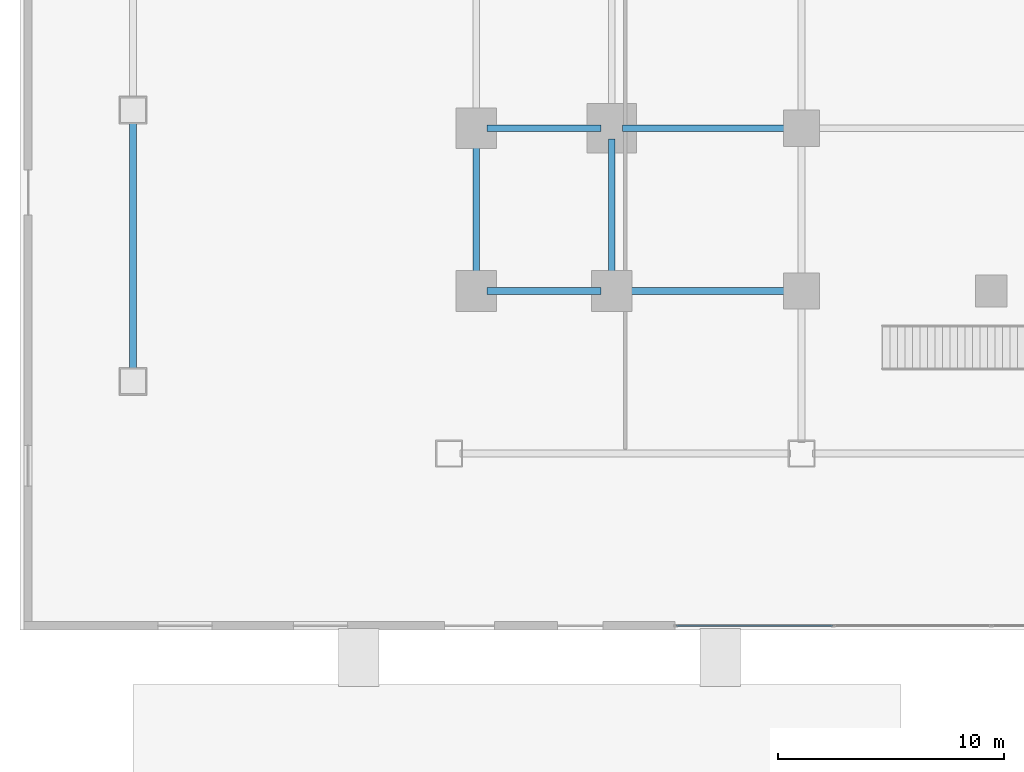
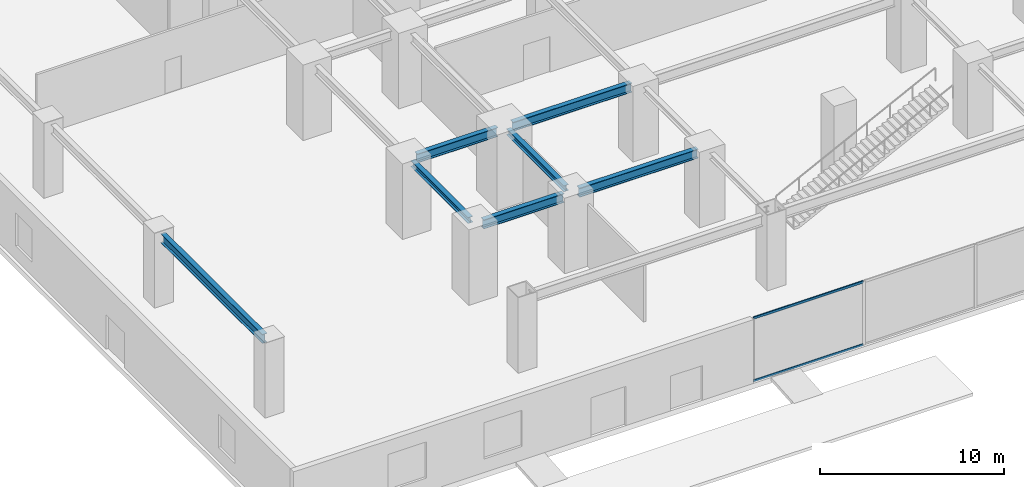
# One storey, part 3 of 18: 7 beams, 2 members, 1 element without a shape of its own.
"""IFC4 building model written with IfcOpenShell, lengths in metres."""

from ifc_helpers import new_model, si_unit, direction, frame, origin, origin_2d, place, context, subcontext, project, spatial, hollow_rectangle, i_section, extrude, source, transform, mapped, material, layer, layer_set, material_profile, profile_set, type_object, element, aggregate, save


model = new_model("IFC4")

# Units and contexts
model_context = context("Model", 3, precision=1e-05, world=origin(), true_north=direction((0.0, 1.0)))
body_context = subcontext(model_context, "Body", "Model", "MODEL_VIEW")
ifc_project = project(units=[si_unit("LENGTHUNIT", "METRE"), si_unit("AREAUNIT", "SQUARE_METRE"), si_unit("VOLUMEUNIT", "CUBIC_METRE"), si_unit("PLANEANGLEUNIT", "RADIAN"), si_unit("MASSUNIT", "GRAM", prefix="KILO")], contexts=[model_context])

# Site, building, storey
site_placement = place(None, origin())
site = spatial("IfcSite", under=ifc_project, at=site_placement, CompositionType="ELEMENT")
building_placement = place(site_placement, origin())
building = spatial("IfcBuilding", under=site, at=building_placement, Name="Sumidabori Civic Tower", CompositionType="ELEMENT")
storey_placement = place(building_placement, origin())
storey = spatial("IfcBuildingStorey", under=building, at=storey_placement, Name="L00", CompositionType="ELEMENT", Elevation=0.0)

# Beams
ifc_material_1 = material(Name="Steel SN490", Category="steel")
ifc_material_profile_1 = material_profile(ifc_material_1, i_section(OverallWidth=0.300048828125, OverallDepth=0.60009765625, WebThickness=0.015380859375, FlangeThickness=0.030029296875, at=origin_2d()), Name="HE 600 B")
ifc_profile_set_1 = profile_set([ifc_material_profile_1], Name="Steel SN490")
beam_type_1 = type_object("IfcBeamType", Name="BM-GIRD-600", PredefinedType="BEAM", material=ifc_profile_set_1)
shared_shape_1 = source(origin(), body_context, "Body", "SweptSolid", [
    extrude(i_section(OverallWidth=0.300048828125, OverallDepth=0.60009765625, WebThickness=0.015380859375, FlangeThickness=0.030029296875, at=origin_2d()), origin(), (0.0, 0.0, 1.0), 5.0400390625),
])
for number, where, z_axis, x_axis, name in (
    (1, (-22.320068359375, -18.0, 4.419921875), (1.0, 0.0, 0.0), (0.0, 1.0, 0.0), "Primary Girder L00 GX-04"),
    (2, (-22.320068359375, -10.800048828125, 4.419921875), (1.0, 0.0, 0.0), (0.0, 1.0, 0.0), "Primary Girder L00 GX-08"),
):
    element("IfcBeam", number, at=place(storey_placement, frame(where, z_axis=z_axis, x_axis=x_axis)), inside=storey, type_object=beam_type_1, Name=name, PredefinedType="BEAM", context=body_context, shape_type="MappedRepresentation", body=[
        mapped(shared_shape_1, transform((0.0, 0.0, 0.0), x_axis=(1.0, 0.0, 0.0), y_axis=(0.0, 1.0, 0.0), z_axis=(0.0, 0.0, 1.0), scale=1.0)),
    ])
shared_shape_2 = source(origin(), body_context, "Body", "SweptSolid", [
    extrude(i_section(OverallWidth=0.300048828125, OverallDepth=0.60009765625, WebThickness=0.015380859375, FlangeThickness=0.030029296875, at=origin_2d()), origin(), (0.0, 0.0, 1.0), 7.440185546875),
])
for number, where, z_axis, x_axis, name in (
    (3, (-16.320068359375, -18.0, 4.419921875), (1.0, 0.0, 0.0), (0.0, 1.0, 0.0), "Primary Girder L00 GX-05"),
    (4, (-16.320068359375, -10.800048828125, 4.419921875), (1.0, 0.0, 0.0), (0.0, 1.0, 0.0), "Primary Girder L00 GX-09"),
):
    element("IfcBeam", number, at=place(storey_placement, frame(where, z_axis=z_axis, x_axis=x_axis)), inside=storey, type_object=beam_type_1, Name=name, PredefinedType="BEAM", context=body_context, shape_type="MappedRepresentation", body=[
        mapped(shared_shape_2, transform((0.0, 0.0, 0.0), x_axis=(1.0, 0.0, 0.0), y_axis=(0.0, 1.0, 0.0), z_axis=(0.0, 0.0, 1.0), scale=1.0)),
    ])
shared_shape_3 = source(origin(), body_context, "Body", "SweptSolid", [
    extrude(i_section(OverallWidth=0.300048828125, OverallDepth=0.60009765625, WebThickness=0.015380859375, FlangeThickness=0.030029296875, at=origin_2d()), origin(), (0.0, 0.0, 1.0), 11.0400390625),
])
beam_placement = place(storey_placement, frame((-38.0, -21.52001953125, 4.419921875), z_axis=(0.0, 1.0, 0.0), x_axis=(-1.0, 0.0, 0.0)))
element("IfcBeam", 5, at=beam_placement, inside=storey, type_object=beam_type_1, Name="Primary Girder L00 GY-21", PredefinedType="BEAM", context=body_context, shape_type="MappedRepresentation", body=[
    mapped(shared_shape_3, transform((0.0, 0.0, 0.0), x_axis=(1.0, 0.0, 0.0), y_axis=(0.0, 1.0, 0.0), z_axis=(0.0, 0.0, 1.0), scale=1.0)),
])
ifc_material_profile_2 = material_profile(ifc_material_1, i_section(OverallWidth=0.300048828125, OverallDepth=0.39990234375, WebThickness=0.013427734375, FlangeThickness=0.02392578125, at=origin_2d()), Name="HE 400 B")
ifc_profile_set_2 = profile_set([ifc_material_profile_2], Name="Steel SN490")
beam_type_2 = type_object("IfcBeamType", Name="BM-GIRD-400", PredefinedType="BEAM", material=ifc_profile_set_2)
shared_shape_4 = source(origin(), body_context, "Body", "SweptSolid", [
    extrude(i_section(OverallWidth=0.300048828125, OverallDepth=0.39990234375, WebThickness=0.013427734375, FlangeThickness=0.02392578125, at=origin_2d()), origin(), (0.0, 0.0, 1.0), 6.239990234375),
])
for number, where, z_axis, x_axis, name in (
    (6, (-22.800048828125, -17.52001953125, 4.52001953125), (0.0, 1.0, 0.0), (-1.0, 0.0, 0.0), "Primary Girder L00 GY-24"),
    (7, (-16.800048828125, -17.52001953125, 4.52001953125), (0.0, 1.0, 0.0), (-1.0, 0.0, 0.0), "Primary Girder L00 GY-28"),
):
    element("IfcBeam", number, at=place(storey_placement, frame(where, z_axis=z_axis, x_axis=x_axis)), inside=storey, type_object=beam_type_2, Name=name, PredefinedType="BEAM", context=body_context, shape_type="MappedRepresentation", body=[
        mapped(shared_shape_4, transform((0.0, 0.0, 0.0), x_axis=(1.0, 0.0, 0.0), y_axis=(0.0, 1.0, 0.0), z_axis=(0.0, 0.0, 1.0), scale=1.0)),
    ])

# Curtain wall, members
ifc_material_2 = material(Name="Anodised Bronze Aluminium AW-6063-T6", Category="aluminium")
ifc_layer = layer(ifc_material_2, 0.179931640625, Name="Anodised Bronze Aluminium AW-6063-T6")
ifc_layer_set = layer_set([ifc_layer], Name="Anodised Bronze Aluminium AW-6063-T6")
curtain_wall_type = type_object("IfcCurtainWallType", Name="CW-SYS-1", PredefinedType="NOTDEFINED", material=ifc_layer_set)
curtain_wall_placement = place(storey_placement, origin())
curtain_wall = element("IfcCurtainWall", 8, at=curtain_wall_placement, inside=storey, type_object=curtain_wall_type, Name="Curtain Wall CW:L00:SOUTH", PredefinedType="NOTDEFINED")
ifc_material_profile_3 = material_profile(ifc_material_2, hollow_rectangle(XDim=0.06494140625, YDim=0.14990234375, WallThickness=0.0048828125, at=origin_2d()), Name="ALU TRANSOM 150x65")
ifc_profile_set_3 = profile_set([ifc_material_profile_3], Name="Anodised Bronze Aluminium AW-6063-T6")
member_type = type_object("IfcMemberType", Name="CW-TRN-150", PredefinedType="USERDEFINED", material=ifc_profile_set_3)
shared_shape_5 = source(origin(), body_context, "Body", "SweptSolid", [
    extrude(hollow_rectangle(XDim=0.06494140625, YDim=0.14990234375, WallThickness=0.0048828125, at=origin_2d()), origin(), (0.0, 0.0, 1.0), 6.89501953125),
])
member_1_placement = place(storey_placement, frame((-7.034912109375, -32.820068359375, 0.032470703125), z_axis=(-1.0, 0.0, 0.0), x_axis=(0.0, -1.0, 0.0)))
member_1 = element("IfcMember", 9, at=member_1_placement, type_object=member_type, Name="CW-1 transom 4.1", ObjectType="TRANSOM", PredefinedType="USERDEFINED", context=body_context, shape_type="MappedRepresentation", body=[
    mapped(shared_shape_5, transform((0.0, 0.0, 0.0), x_axis=(1.0, 0.0, 0.0), y_axis=(0.0, 1.0, 0.0), z_axis=(0.0, 0.0, 1.0), scale=1.0)),
])
member_2_placement = place(storey_placement, frame((-7.034912109375, -32.820068359375, 4.1875), z_axis=(-1.0, 0.0, 0.0), x_axis=(0.0, -1.0, 0.0)))
member_2 = element("IfcMember", 10, at=member_2_placement, type_object=member_type, Name="CW-1 transom 4.2", ObjectType="TRANSOM", PredefinedType="USERDEFINED", context=body_context, shape_type="MappedRepresentation", body=[
    mapped(shared_shape_5, transform((0.0, 0.0, 0.0), x_axis=(1.0, 0.0, 0.0), y_axis=(0.0, 1.0, 0.0), z_axis=(0.0, 0.0, 1.0), scale=1.0)),
])
aggregate(curtain_wall, [member_1, member_2])

save(model, "model.ifc")
